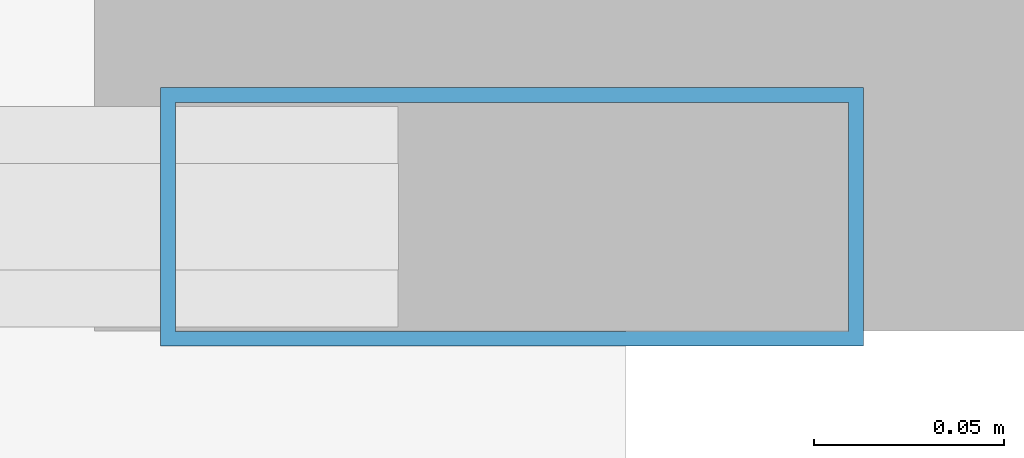
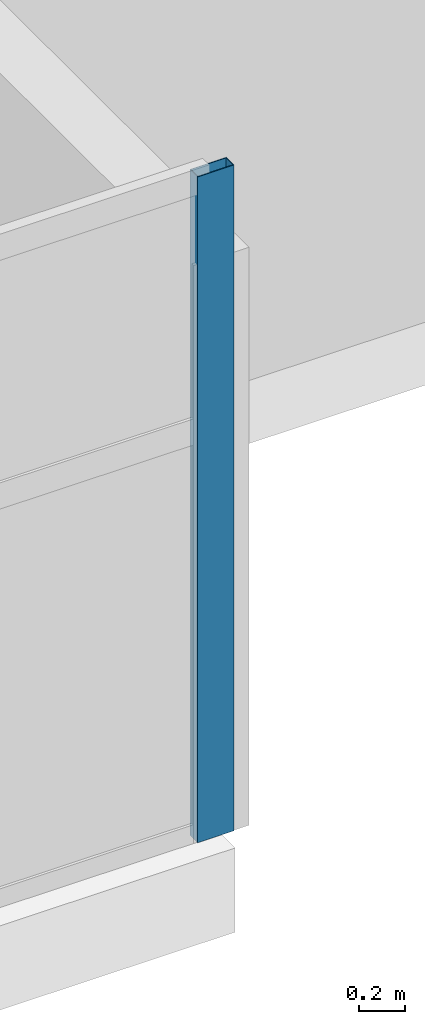
# One storey, part 14 of 29: 1 member, 1 element without a shape of its own.
"""IFC4 building model written with IfcOpenShell, lengths in metres."""

from ifc_helpers import new_model, si_unit, direction, frame, origin, origin_2d, place, context, subcontext, project, spatial, hollow_rectangle, extrude, material, layer, layer_set, material_profile, profile_set, type_object, element, aggregate, save


model = new_model("IFC4")

# Units and contexts
model_context = context("Model", 3, precision=1e-05, world=origin(), true_north=direction((0.0, 1.0)))
body_context = subcontext(model_context, "Body", "Model", "MODEL_VIEW")
ifc_project = project(units=[si_unit("LENGTHUNIT", "METRE"), si_unit("AREAUNIT", "SQUARE_METRE"), si_unit("VOLUMEUNIT", "CUBIC_METRE"), si_unit("PLANEANGLEUNIT", "RADIAN"), si_unit("MASSUNIT", "GRAM", prefix="KILO")], contexts=[model_context])

# Site, building, storey
site_placement = place(None, origin())
site = spatial("IfcSite", under=ifc_project, at=site_placement, CompositionType="ELEMENT")
building_placement = place(site_placement, origin())
building = spatial("IfcBuilding", under=site, at=building_placement, Name="Calvorn Quay Hotel", CompositionType="ELEMENT")
storey_placement = place(building_placement, frame((0.0, 0.0, 199.60009765625)))
storey = spatial("IfcBuildingStorey", under=building, at=storey_placement, Name="L49", CompositionType="ELEMENT", Elevation=199.60009765625)

# Curtain wall, member
ifc_material_1 = material(Name="Champagne Bronze Anodised Aluminium and Low-E Glass", Category="aluminium")
ifc_layer = layer(ifc_material_1, 0.219970703125)
ifc_layer_set = layer_set([ifc_layer], Name="CW-SYS-Z3")
curtain_wall_type = type_object("IfcCurtainWallType", Name="CW-SYS-Z3", PredefinedType="NOTDEFINED", material=ifc_layer_set)
curtain_wall_placement = place(storey_placement, origin())
curtain_wall = element("IfcCurtainWall", 1, at=curtain_wall_placement, inside=storey, type_object=curtain_wall_type, Name="Tower South Waterfront Curtain Wall (L49)", PredefinedType="NOTDEFINED")
ifc_material_2 = material(Name="Champagne Bronze Anodised Aluminium 6063-T6", Category="aluminium")
ifc_material_profile = material_profile(ifc_material_2, hollow_rectangle(XDim=0.068115234375, YDim=0.18505859375, WallThickness=0.00390625, at=origin_2d()), Name="ALU-M185x68x4")
ifc_profile_set = profile_set([ifc_material_profile], Name="Champagne Bronze Anodised Aluminium 6063-T6")
member_type = type_object("IfcMemberType", Name="CW-SYS-Z3-MUL", PredefinedType="MULLION", material=ifc_profile_set)
member_placement = place(storey_placement, frame((48.969970703125, 2.550048828125, 0.0), z_axis=(0.0, 0.0, 1.0), x_axis=(0.0, 1.0, 0.0)))
member = element("IfcMember", 2, at=member_placement, type_object=member_type, Name="CW-L49-S mullion 6", PredefinedType="MULLION", context=body_context, shape_type="SweptSolid", body=[
    extrude(hollow_rectangle(XDim=0.068115234375, YDim=0.18505859375, WallThickness=0.00390625, at=origin_2d()), origin(), (0.0, 0.0, 1.0), 3.559814453125),
])
aggregate(curtain_wall, [member])

save(model, "model.ifc")
